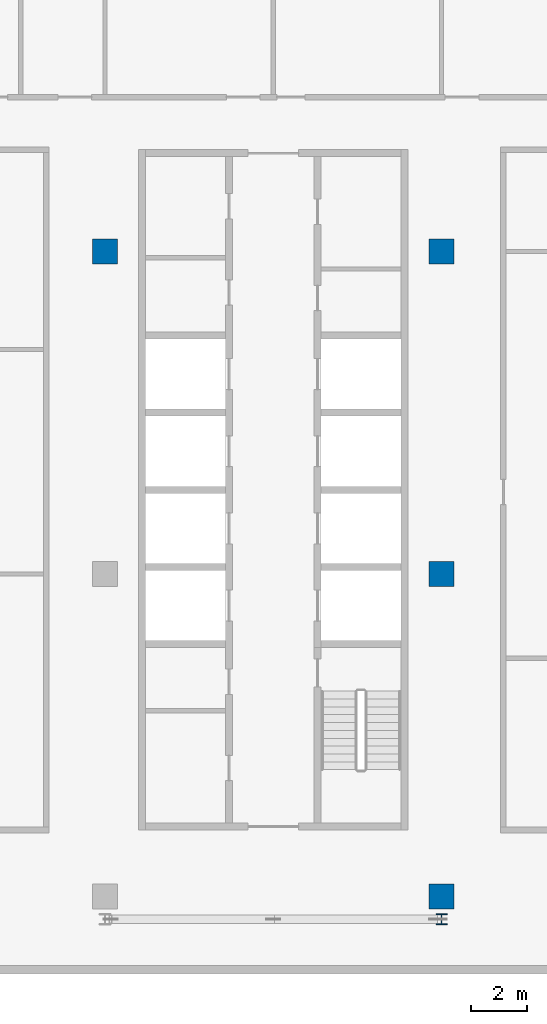
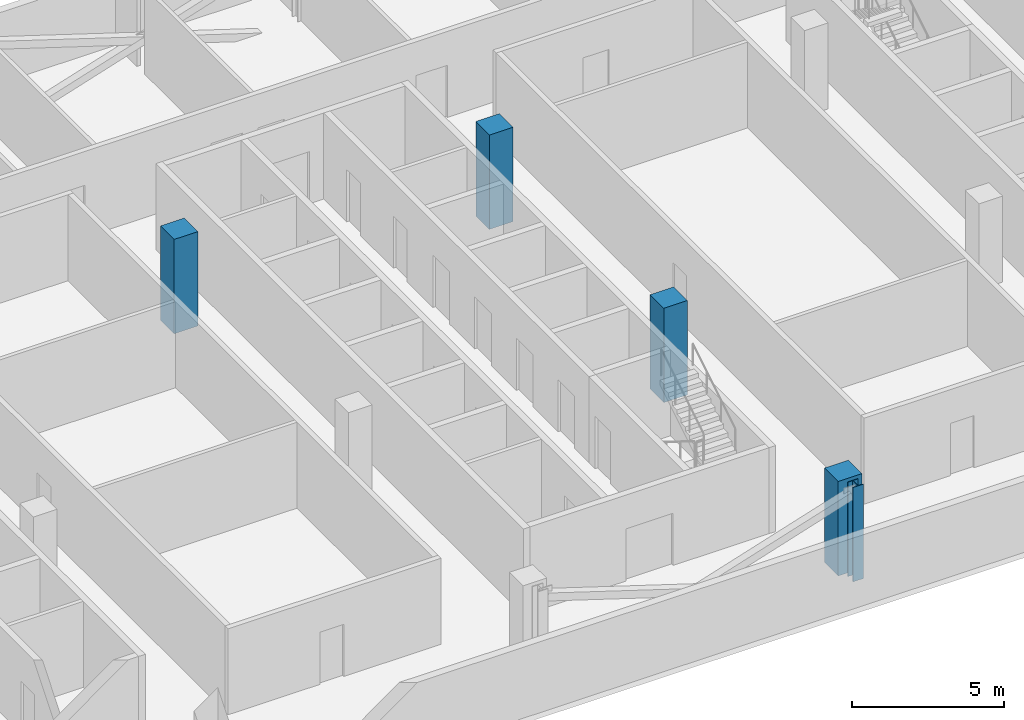
# One storey, part 2 of 30: 5 columns.
"""IFC4 building model written with IfcOpenShell, lengths in metres."""

from ifc_helpers import new_model, si_unit, direction, frame, origin, origin_2d, place, context, subcontext, project, spatial, rectangle, i_section, extrude, material, material_profile, profile_set, type_object, element, save


model = new_model("IFC4")

# Units and contexts
model_context = context("Model", 3, precision=1e-05, world=origin(), true_north=direction((0.0, 1.0)))
body_context = subcontext(model_context, "Body", "Model", "MODEL_VIEW")
ifc_project = project(units=[si_unit("LENGTHUNIT", "METRE"), si_unit("AREAUNIT", "SQUARE_METRE"), si_unit("VOLUMEUNIT", "CUBIC_METRE"), si_unit("PLANEANGLEUNIT", "RADIAN"), si_unit("MASSUNIT", "GRAM", prefix="KILO")], contexts=[model_context])

# Site, building, storey
site_placement = place(None, origin())
site = spatial("IfcSite", under=ifc_project, at=site_placement, CompositionType="ELEMENT")
building_placement = place(site_placement, origin())
building = spatial("IfcBuilding", under=site, at=building_placement, Name="Mahtab Terrace Research Tower", CompositionType="ELEMENT")
storey_placement = place(building_placement, frame((0.0, 0.0, 263.300048828125)))
storey = spatial("IfcBuildingStorey", under=building, at=storey_placement, Name="L64", CompositionType="ELEMENT", Elevation=263.300048828125)

# Columns
ifc_material_1 = material(Name="Concrete C70/85", Category="concrete")
ifc_material_profile_1 = material_profile(ifc_material_1, rectangle(XDim=0.89990234375, YDim=0.89990234375, at=origin_2d()), Name="RC column 900x900")
ifc_profile_set_1 = profile_set([ifc_material_profile_1], Name="Concrete C70/85")
column_type_1 = type_object("IfcColumnType", Name="RC column 900x900", PredefinedType="COLUMN", material=ifc_profile_set_1)
for number, where, z_axis, x_axis, name in (
    (1, (-6.0, 11.5, -0.340087890625), (0.0, 0.0, 1.0), (1.0, 0.0, 0.0), "Column RC-4C L64"),
    (2, (6.0, -11.5, -0.340087890625), (0.0, 0.0, 1.0), (1.0, 0.0, 0.0), "Column RC-5A L64"),
    (3, (6.0, 0.0, -0.340087890625), (0.0, 0.0, 1.0), (1.0, 0.0, 0.0), "Column RC-5B L64"),
    (4, (6.0, 11.5, -0.340087890625), (0.0, 0.0, 1.0), (1.0, 0.0, 0.0), "Column RC-5C L64"),
):
    element("IfcColumn", number, at=place(storey_placement, frame(where, z_axis=z_axis, x_axis=x_axis)), inside=storey, type_object=column_type_1, Name=name, PredefinedType="COLUMN", context=body_context, shape_type="SweptSolid", body=[
        extrude(rectangle(XDim=0.89990234375, YDim=0.89990234375, at=origin_2d()), origin(), (0.0, 0.0, 1.0), 3.800048828125),
    ])
ifc_material_2 = material(Name="Steel ASTM A992 Gr 50", Category="steel")
ifc_material_profile_2 = material_profile(ifc_material_2, i_section(OverallWidth=0.393798828125, OverallDepth=0.3759765625, WebThickness=0.017333984375, FlangeThickness=0.027587890625, at=origin_2d()), Name="W14X145")
ifc_profile_set_2 = profile_set([ifc_material_profile_2], Name="Steel ASTM A992 Gr 50")
column_type_2 = type_object("IfcColumnType", Name="W14x145 column CS14145", PredefinedType="COLUMN", material=ifc_profile_set_2)
column_placement = place(storey_placement, frame((6.0, -12.306884765625, -0.340087890625), z_axis=(0.0, 0.0, 1.0), x_axis=(1.0, 0.0, 0.0)))
element("IfcColumn", 5, at=column_placement, inside=storey, type_object=column_type_2, Name="Column SC-085 L64", PredefinedType="COLUMN", context=body_context, shape_type="SweptSolid", body=[
    extrude(i_section(OverallWidth=0.393798828125, OverallDepth=0.3759765625, WebThickness=0.017333984375, FlangeThickness=0.027587890625, at=origin_2d()), origin(), (0.0, 0.0, 1.0), 3.800048828125),
])

save(model, "model.ifc")
